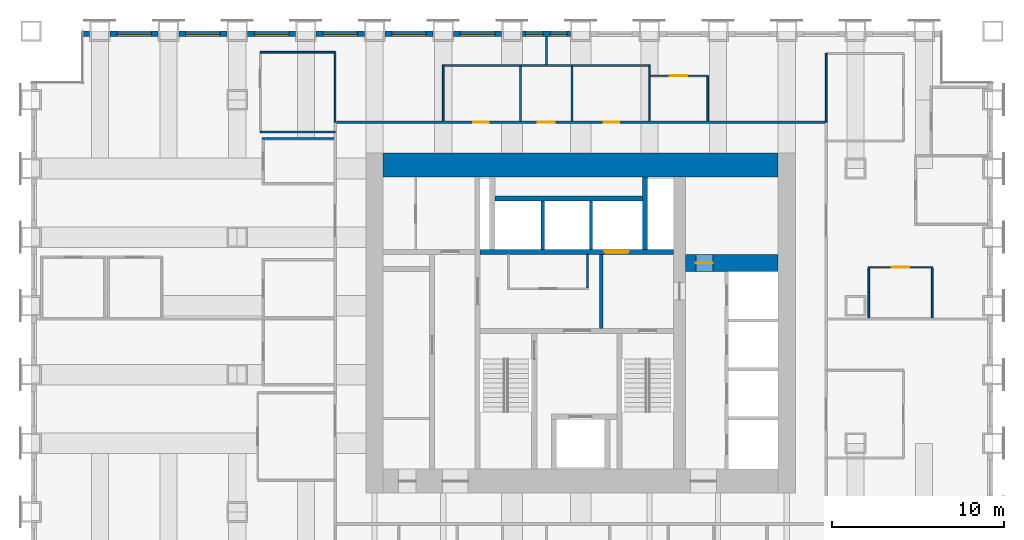
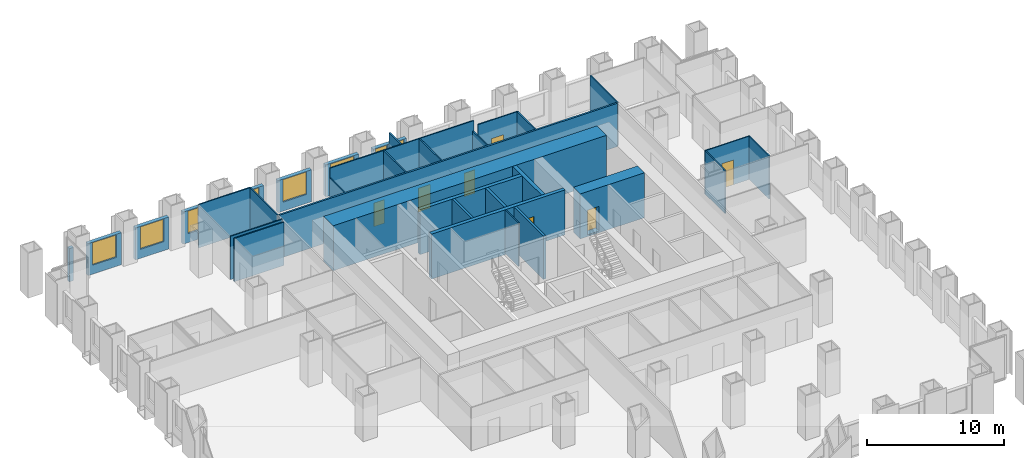
# One storey, part 11 of 14: 34 walls, 8 windows, 7 doors, 15 openings.
"""IFC4 building model written with IfcOpenShell, lengths in metres."""

from ifc_helpers import new_model, si_unit, direction, frame, frame_2d, origin, place, context, subcontext, project, spatial, rectangle, extrude, material, layer, layer_set, type_object, element, fill, save


model = new_model("IFC4")

# Units and contexts
model_context = context("Model", 3, precision=1e-05, world=origin(), true_north=direction((0.0, 1.0)))
body_context = subcontext(model_context, "Body", "Model", "MODEL_VIEW")
ifc_project = project(units=[si_unit("LENGTHUNIT", "METRE"), si_unit("AREAUNIT", "SQUARE_METRE"), si_unit("VOLUMEUNIT", "CUBIC_METRE"), si_unit("PLANEANGLEUNIT", "RADIAN"), si_unit("MASSUNIT", "GRAM", prefix="KILO")], contexts=[model_context])

# Site, building, storey
site_placement = place(None, origin())
site = spatial("IfcSite", under=ifc_project, at=site_placement, CompositionType="ELEMENT")
building_placement = place(site_placement, origin())
building = spatial("IfcBuilding", under=site, at=building_placement, Name="Rimbunsela Tower", CompositionType="ELEMENT")
storey_placement = place(building_placement, frame((0.0, 0.0, 15.0)))
storey = spatial("IfcBuildingStorey", under=building, at=storey_placement, Name="L03", CompositionType="ELEMENT", Elevation=15.0)

# Wall, opening, door
ifc_material_1 = material(Name="Concrete fc' 80 MPa", Category="concrete")
ifc_layer_1 = layer(ifc_material_1, 0.300048828125)
ifc_layer_set_1 = layer_set([ifc_layer_1], Name="Core internal wall 300")
wall_type_1 = type_object("IfcWallType", Name="Core internal wall 300", PredefinedType="SHEAR", material=ifc_layer_set_1)
wall_1_placement = place(storey_placement, frame((24.14990234375, 31.14990234375, -0.14990234375), z_axis=(0.0, 0.0, 1.0), x_axis=(1.0, 0.0, 0.0)))
wall_1 = element("IfcWall", 1, at=wall_1_placement, inside=storey, type_object=wall_type_1, Name="Lift shaft front north", PredefinedType="SHEAR", context=body_context, shape_type="SweptSolid", body=[
    extrude(rectangle(XDim=11.25, YDim=0.300048828125, at=frame_2d((5.625, 0.0))), origin(), (0.0, 0.0, 1.0), 4.0),
])
opening_1_placement = place(wall_1_placement, frame((7.25, 0.0, 0.14990234375)))
opening_1 = element("IfcOpeningElement", 2, at=opening_1_placement, cuts=wall_1, Name="Opening LD3", PredefinedType="OPENING", context=body_context, shape_type="SweptSolid", body=[
    extrude(rectangle(XDim=1.39990234375, YDim=2.39990234375, at=frame_2d((0.699951171875, 1.199951171875))), frame((0.0, 0.159912109375, 0.0), z_axis=(0.0, -1.0, 0.0), x_axis=(1.0, 0.0, 0.0)), (0.0, 0.0, 1.0), 0.320068359375),
])
ifc_material_2 = material(Name="Steel door, fire rated", Category="steel")
door_type_1 = type_object("IfcDoorType", Name="Lift landing door 1400", OperationType="DOUBLE_DOOR_SLIDING", PredefinedType="DOOR", material=ifc_material_2)
door_1_placement = place(opening_1_placement, origin())
door_1 = element("IfcDoor", 3, at=door_1_placement, inside=storey, type_object=door_type_1, Name="Lift landing door FL2", OperationType="DOUBLE_DOOR_SLIDING", OverallHeight=2.39990234375, OverallWidth=1.39990234375, PredefinedType="DOOR", context=body_context, shape_type="SweptSolid", body=[
    extrude(rectangle(XDim=1.39990234375, YDim=2.39990234375, at=frame_2d((0.699951171875, 1.199951171875))), frame((0.0, 0.02490234375, 0.0), z_axis=(0.0, -1.0, 0.0), x_axis=(1.0, 0.0, 0.0)), (0.0, 0.0, 1.0), 0.050048828125),
])
fill(opening_1, door_1)

# Walls
wall_2_placement = place(storey_placement, frame((33.75, 31.300048828125, -0.14990234375), z_axis=(0.0, 0.0, 1.0), x_axis=(0.0, 1.0, 0.0)))
element("IfcWall", 4, at=wall_2_placement, inside=storey, type_object=wall_type_1, Name="Riser wall", PredefinedType="SHEAR", context=body_context, shape_type="SweptSolid", body=[
    extrude(rectangle(XDim=4.199951171875, YDim=0.300048828125, at=frame_2d((2.10009765625, 0.0))), origin(), (0.0, 0.0, 1.0), 4.0),
])
wall_3_placement = place(storey_placement, frame((25.0, 34.25, -0.14990234375), z_axis=(0.0, 0.0, 1.0), x_axis=(1.0, 0.0, 0.0)))
element("IfcWall", 5, at=wall_3_placement, inside=storey, type_object=wall_type_1, Name="Lift shaft rear north", PredefinedType="SHEAR", context=body_context, shape_type="SweptSolid", body=[
    extrude(rectangle(XDim=8.60009765625, YDim=0.300048828125, at=frame_2d((4.300048828125, 0.0))), origin(), (0.0, 0.0, 1.0), 4.0),
])
ifc_material_3 = material(Name="Concrete blockwork", Category="masonry")
ifc_layer_2 = layer(ifc_material_3, 0.10009765625)
ifc_layer_set_2 = layer_set([ifc_layer_2], Name="Core room partition 100")
wall_type_2 = type_object("IfcWallType", Name="Core room partition 100", PredefinedType="PARTITIONING", material=ifc_layer_set_2)
wall_4_placement = place(storey_placement, frame((30.39990234375, 29.050048828125, 0.0), z_axis=(0.0, 0.0, 1.0), x_axis=(0.0, 1.0, 0.0)))
element("IfcWall", 6, at=wall_4_placement, inside=storey, type_object=wall_type_2, Name="Lobby room wall", PredefinedType="PARTITIONING", context=body_context, shape_type="SweptSolid", body=[
    extrude(rectangle(XDim=1.949951171875, YDim=0.10009765625, at=frame_2d((0.97509765625, 0.0))), origin(), (0.0, 0.0, 1.0), 3.85009765625),
])

# Wall, opening, door
ifc_material_4 = material(Name="Concrete fc' 80 MPa", Category="concrete")
ifc_layer_3 = layer(ifc_material_4, 1.0)
ifc_layer_set_3 = layer_set([ifc_layer_3], Name="Core wall 1000")
wall_type_3 = type_object("IfcWallType", Name="Core wall 1000", PredefinedType="SHEAR", material=ifc_layer_set_3)
wall_5_placement = place(storey_placement, frame((36.10009765625, 30.5, -0.14990234375), z_axis=(0.0, 0.0, 1.0), x_axis=(1.0, 0.0, 0.0)))
wall_5 = element("IfcWall", 7, at=wall_5_placement, inside=storey, type_object=wall_type_3, Name="Lift shaft rear east", PredefinedType="SHEAR", context=body_context, shape_type="SweptSolid", body=[
    extrude(rectangle(XDim=5.39990234375, YDim=1.0, at=frame_2d((2.699951171875, 0.0))), origin(), (0.0, 0.0, 1.0), 4.0),
])
opening_2_placement = place(wall_5_placement, frame((0.60009765625, 0.0, 0.14990234375)))
opening_2 = element("IfcOpeningElement", 8, at=opening_2_placement, cuts=wall_5, Name="Opening D19", PredefinedType="OPENING", context=body_context, shape_type="SweptSolid", body=[
    extrude(rectangle(XDim=1.0, YDim=2.199951171875, at=frame_2d((0.5, 1.10009765625))), frame((0.0, 0.510009765625, 0.0), z_axis=(0.0, -1.0, 0.0), x_axis=(1.0, 0.0, 0.0)), (0.0, 0.0, 1.0), 1.02001953125),
])
ifc_material_5 = material(Name="Steel door, fire rated", Category="steel")
door_type_2 = type_object("IfcDoorType", Name="Service door 1000 fire rated", OperationType="SINGLE_SWING_LEFT", PredefinedType="DOOR", material=ifc_material_5)
door_2_placement = place(opening_2_placement, origin())
door_2 = element("IfcDoor", 9, at=door_2_placement, inside=storey, type_object=door_type_2, Name="Communications room door", OperationType="SINGLE_SWING_LEFT", OverallHeight=2.199951171875, OverallWidth=1.0, PredefinedType="DOOR", context=body_context, shape_type="SweptSolid", body=[
    extrude(rectangle(XDim=1.0, YDim=2.199951171875, at=frame_2d((0.5, 1.10009765625))), frame((0.0, 0.02490234375, 0.0), z_axis=(0.0, -1.0, 0.0), x_axis=(1.0, 0.0, 0.0)), (0.0, 0.0, 1.0), 0.050048828125),
])
fill(opening_2, door_2)

# Walls
ifc_material_6 = material(Name="Concrete fc' 80 MPa", Category="concrete")
ifc_layer_4 = layer(ifc_material_6, 1.39990234375)
ifc_layer_set_4 = layer_set([ifc_layer_4], Name="Core wall 1400")
wall_type_4 = type_object("IfcWallType", Name="Core wall 1400", PredefinedType="SHEAR", material=ifc_layer_set_4)
wall_6_placement = place(storey_placement, frame((18.5, 36.199951171875, -0.14990234375), z_axis=(0.0, 0.0, 1.0), x_axis=(1.0, 0.0, 0.0)))
element("IfcWall", 10, at=wall_6_placement, inside=storey, type_object=wall_type_4, Name="Core wall north", PredefinedType="SHEAR", context=body_context, shape_type="SweptSolid", body=[
    extrude(rectangle(XDim=23.0, YDim=1.39990234375, at=frame_2d((11.5, 0.0))), origin(), (0.0, 0.0, 1.0), 4.0),
])
ifc_material_7 = material(Name="Concrete blockwork", Category="masonry")
ifc_layer_5 = layer(ifc_material_7, 0.199951171875)
ifc_layer_set_5 = layer_set([ifc_layer_5], Name="Lift shaft wall 200")
wall_type_5 = type_object("IfcWallType", Name="Lift shaft wall 200", PredefinedType="SOLIDWALL", material=ifc_layer_set_5)
for number, where, z_axis, x_axis, name in (
    (11, (27.800048828125, 31.300048828125, -0.14990234375), (0.0, 0.0, 1.0), (0.0, 1.0, 0.0), "Lift shaft separation"),
    (12, (30.60009765625, 31.300048828125, -0.14990234375), (0.0, 0.0, 1.0), (0.0, 1.0, 0.0), "Lift shaft separation"),
):
    element("IfcWall", number, at=place(storey_placement, frame(where, z_axis=z_axis, x_axis=x_axis)), inside=storey, type_object=wall_type_5, Name=name, PredefinedType="SOLIDWALL", context=body_context, shape_type="SweptSolid", body=[
        extrude(rectangle(XDim=2.800048828125, YDim=0.199951171875, at=frame_2d((1.39990234375, 0.0))), origin(), (0.0, 0.0, 1.0), 4.0),
    ])
wall_7_placement = place(storey_placement, frame((31.199951171875, 26.699951171875, 0.0), z_axis=(0.0, 0.0, 1.0), x_axis=(0.0, 1.0, 0.0)))
element("IfcWall", 13, at=wall_7_placement, inside=storey, type_object=wall_type_5, Name="Firefighting lobby 2 wall", PredefinedType="SOLIDWALL", context=body_context, shape_type="SweptSolid", body=[
    extrude(rectangle(XDim=4.300048828125, YDim=0.199951171875, at=frame_2d((2.14990234375, 0.0))), origin(), (0.0, 0.0, 1.0), 3.85009765625),
])

# Wall, opening, door
ifc_material_8 = material(Name="Gypsum board on steel studs", Category="steel")
ifc_layer_6 = layer(ifc_material_8, 0.10009765625)
ifc_layer_set_6 = layer_set([ifc_layer_6], Name="Office partition 100")
wall_type_6 = type_object("IfcWallType", Name="Office partition 100", PredefinedType="PARTITIONING", material=ifc_layer_set_6)
wall_8_placement = place(storey_placement, frame((46.72509765625, 30.25, 0.0), z_axis=(0.0, 0.0, 1.0), x_axis=(1.0, 0.0, 0.0)))
wall_8 = element("IfcWall", 14, at=wall_8_placement, inside=storey, type_object=wall_type_6, Name="Office partition", PredefinedType="PARTITIONING", context=body_context, shape_type="SweptSolid", body=[
    extrude(rectangle(XDim=3.7998046875, YDim=0.10009765625, at=frame_2d((1.89990234375, 0.0))), origin(), (0.0, 0.0, 1.0), 3.85009765625),
])
opening_3_placement = place(wall_8_placement, frame((1.39990234375, 0.0, 0.0)))
opening_3 = element("IfcOpeningElement", 15, at=opening_3_placement, cuts=wall_8, Name="Opening D17", PredefinedType="OPENING", context=body_context, shape_type="SweptSolid", body=[
    extrude(rectangle(XDim=1.0, YDim=2.199951171875, at=frame_2d((0.5, 1.10009765625))), frame((0.0, 0.06005859375, 0.0), z_axis=(0.0, -1.0, 0.0), x_axis=(1.0, 0.0, 0.0)), (0.0, 0.0, 1.0), 0.1201171875),
])
ifc_material_9 = material(Name="Glazed aluminium door", Category="aluminium")
door_type_3 = type_object("IfcDoorType", Name="Meeting room door 1000 glazed", OperationType="SINGLE_SWING_RIGHT", PredefinedType="DOOR", material=ifc_material_9)
door_3_placement = place(opening_3_placement, origin())
door_3 = element("IfcDoor", 16, at=door_3_placement, inside=storey, type_object=door_type_3, Name="Meeting room door", OperationType="SINGLE_SWING_RIGHT", OverallHeight=2.199951171875, OverallWidth=1.0, PredefinedType="DOOR", context=body_context, shape_type="SweptSolid", body=[
    extrude(rectangle(XDim=1.0, YDim=2.199951171875, at=frame_2d((0.5, 1.10009765625))), frame((0.0, 0.02490234375, 0.0), z_axis=(0.0, -1.0, 0.0), x_axis=(1.0, 0.0, 0.0)), (0.0, 0.0, 1.0), 0.050048828125),
])
fill(opening_3, door_3)

# Wall
wall_9_placement = place(storey_placement, frame((11.449951171875, 37.75, 0.0), z_axis=(0.0, 0.0, 1.0), x_axis=(1.0, 0.0, 0.0)))
element("IfcWall", 17, at=wall_9_placement, inside=storey, type_object=wall_type_6, Name="Office partition", PredefinedType="PARTITIONING", context=body_context, shape_type="SweptSolid", body=[
    extrude(rectangle(XDim=4.175048828125, YDim=0.10009765625, at=frame_2d((2.08740234375, 0.0))), origin(), (0.0, 0.0, 1.0), 3.85009765625),
])

# Wall, opening, door
wall_10_placement = place(storey_placement, frame((34.050048828125, 41.39990234375, 0.0), z_axis=(0.0, 0.0, 1.0), x_axis=(1.0, 0.0, 0.0)))
wall_10 = element("IfcWall", 18, at=wall_10_placement, inside=storey, type_object=wall_type_6, Name="Office partition", PredefinedType="PARTITIONING", context=body_context, shape_type="SweptSolid", body=[
    extrude(rectangle(XDim=3.39990234375, YDim=0.10009765625, at=frame_2d((1.699951171875, 0.0))), origin(), (0.0, 0.0, 1.0), 3.85009765625),
])
opening_4_placement = place(wall_10_placement, frame((1.14990234375, 0.0, 0.0)))
opening_4 = element("IfcOpeningElement", 19, at=opening_4_placement, cuts=wall_10, Name="Opening D16", PredefinedType="OPENING", context=body_context, shape_type="SweptSolid", body=[
    extrude(rectangle(XDim=1.0, YDim=2.199951171875, at=frame_2d((0.5, 1.10009765625))), frame((0.0, 0.06005859375, 0.0), z_axis=(0.0, -1.0, 0.0), x_axis=(1.0, 0.0, 0.0)), (0.0, 0.0, 1.0), 0.1201171875),
])
ifc_material_10 = material(Name="Timber door", Category="wood")
door_type_4 = type_object("IfcDoorType", Name="Office door 1000", OperationType="SINGLE_SWING_LEFT", PredefinedType="DOOR", material=ifc_material_10)
door_4_placement = place(opening_4_placement, origin())
door_4 = element("IfcDoor", 20, at=door_4_placement, inside=storey, type_object=door_type_4, Name="Office door", OperationType="SINGLE_SWING_LEFT", OverallHeight=2.199951171875, OverallWidth=1.0, PredefinedType="DOOR", context=body_context, shape_type="SweptSolid", body=[
    extrude(rectangle(XDim=1.0, YDim=2.199951171875, at=frame_2d((0.5, 1.10009765625))), frame((0.0, 0.02490234375, 0.0), z_axis=(0.0, -1.0, 0.0), x_axis=(1.0, 0.0, 0.0)), (0.0, 0.0, 1.0), 0.050048828125),
])
fill(opening_4, door_4)

# Walls
wall_11_placement = place(storey_placement, frame((37.39990234375, 38.77490234375, 0.0), z_axis=(0.0, 0.0, 1.0), x_axis=(0.0, 1.0, 0.0)))
element("IfcWall", 21, at=wall_11_placement, inside=storey, type_object=wall_type_6, Name="Office partition", PredefinedType="PARTITIONING", context=body_context, shape_type="SweptSolid", body=[
    extrude(rectangle(XDim=2.5751953125, YDim=0.10009765625, at=frame_2d((1.28759765625, 0.0))), origin(), (0.0, 0.0, 1.0), 3.85009765625),
])
for number, where, z_axis, x_axis, name in (
    (22, (46.77490234375, 27.31005859375, 0.0), (0.0, 0.0, 1.0), (0.0, 1.0, 0.0), "Office partition"),
    (23, (50.47509765625, 27.31005859375, 0.0), (0.0, 0.0, 1.0), (0.0, 1.0, 0.0), "Office partition"),
):
    element("IfcWall", number, at=place(storey_placement, frame(where, z_axis=z_axis, x_axis=x_axis)), inside=storey, type_object=wall_type_6, Name=name, PredefinedType="PARTITIONING", context=body_context, shape_type="SweptSolid", body=[
        extrude(rectangle(XDim=2.889892578125, YDim=0.10009765625, at=frame_2d((1.44482421875, 0.0))), origin(), (0.0, 0.0, 1.0), 3.85009765625),
    ])
wall_12_placement = place(storey_placement, frame((15.699951171875, 38.699951171875, 0.0), z_axis=(0.0, 0.0, 1.0), x_axis=(0.0, 1.0, 0.0)))
element("IfcWall", 24, at=wall_12_placement, inside=storey, type_object=wall_type_6, Name="Office partition", PredefinedType="PARTITIONING", context=body_context, shape_type="SweptSolid", body=[
    extrude(rectangle(XDim=4.074951171875, YDim=0.10009765625, at=frame_2d((2.03759765625, 0.0))), origin(), (0.0, 0.0, 1.0), 3.85009765625),
])
for number, where, z_axis, x_axis, name in (
    (25, (15.699951171875, 42.77490234375, 0.0), (0.0, 0.0, 1.0), (-1.0, 0.0, 0.0), "Office partition"),
    (26, (11.35009765625, 38.125, 0.0), (0.0, 0.0, 1.0), (1.0, 0.0, 0.0), "Office partition"),
):
    element("IfcWall", number, at=place(storey_placement, frame(where, z_axis=z_axis, x_axis=x_axis)), inside=storey, type_object=wall_type_6, Name=name, PredefinedType="PARTITIONING", context=body_context, shape_type="SweptSolid", body=[
        extrude(rectangle(XDim=4.349853515625, YDim=0.10009765625, at=frame_2d((2.1748046875, 0.0))), origin(), (0.0, 0.0, 1.0), 3.85009765625),
    ])
wall_13_placement = place(storey_placement, frame((44.300048828125, 42.699951171875, 0.0), z_axis=(0.0, 0.0, 1.0), x_axis=(0.0, -1.0, 0.0)))
element("IfcWall", 27, at=wall_13_placement, inside=storey, type_object=wall_type_6, Name="Office partition", PredefinedType="PARTITIONING", context=body_context, shape_type="SweptSolid", body=[
    extrude(rectangle(XDim=4.0, YDim=0.10009765625, at=frame_2d((2.0, 0.0))), origin(), (0.0, 0.0, 1.0), 3.85009765625),
])
ifc_material_11 = material(Name="Precast concrete fc' 35 MPa", Category="concrete")
ifc_layer_7 = layer(ifc_material_11, 0.300048828125)
ifc_layer_set_7 = layer_set([ifc_layer_7], Name="Precast concrete fc' 35 MPa")
wall_type_7 = type_object("IfcWallType", Name="Precast facade panel 300", PredefinedType="ELEMENTEDWALL", material=ifc_layer_set_7)
wall_14_placement = place(storey_placement, frame((1.39990234375, 43.85009765625, 0.0), z_axis=(0.0, 0.0, 1.0), x_axis=(-1.0, 0.0, 0.0)))
element("IfcWall", 28, at=wall_14_placement, inside=storey, type_object=wall_type_7, Name="Facade panel N L03", PredefinedType="ELEMENTEDWALL", context=body_context, shape_type="SweptSolid", body=[
    extrude(rectangle(XDim=0.369873046875, YDim=0.300048828125, at=frame_2d((0.18505859375, 0.0))), origin(), (0.0, 0.0, 1.0), 2.949951171875),
])

# Wall, opening, window
wall_15_placement = place(storey_placement, frame((5.39990234375, 43.85009765625, 0.0), z_axis=(0.0, 0.0, 1.0), x_axis=(-1.0, 0.0, 0.0)))
wall_15 = element("IfcWall", 29, at=wall_15_placement, inside=storey, type_object=wall_type_7, Name="Facade panel N L03", PredefinedType="ELEMENTEDWALL", context=body_context, shape_type="SweptSolid", body=[
    extrude(rectangle(XDim=2.7998046875, YDim=0.300048828125, at=frame_2d((1.39990234375, 0.0))), origin(), (0.0, 0.0, 1.0), 2.85009765625),
])
opening_5_placement = place(wall_15_placement, frame((0.39990234375, 0.0, 0.800048828125)))
opening_5 = element("IfcOpeningElement", 30, at=opening_5_placement, cuts=wall_15, Name="Opening W1", PredefinedType="OPENING", context=body_context, shape_type="SweptSolid", body=[
    extrude(rectangle(XDim=2.0, YDim=2.0, at=frame_2d((1.0, 1.0))), frame((0.0, 0.159912109375, 0.0), z_axis=(0.0, -1.0, 0.0), x_axis=(1.0, 0.0, 0.0)), (0.0, 0.0, 1.0), 0.320068359375),
])
ifc_material_12 = material(Name="Clear glass in aluminium frame", Category="aluminium")
window_type_1 = type_object("IfcWindowType", Name="Window W1 2000x2000", PartitioningType="DOUBLE_PANEL_VERTICAL", PredefinedType="WINDOW", material=ifc_material_12)
window_1_placement = place(opening_5_placement, origin())
window_1 = element("IfcWindow", 31, at=window_1_placement, inside=storey, type_object=window_type_1, Name="Window L03", OverallHeight=2.0, OverallWidth=2.0, PartitioningType="SINGLE_PANEL", PredefinedType="WINDOW", context=body_context, shape_type="SweptSolid", body=[
    extrude(rectangle(XDim=2.0, YDim=2.0, at=frame_2d((1.0, 1.0))), frame((0.0, 0.030029296875, 0.0), z_axis=(0.0, -1.0, 0.0), x_axis=(1.0, 0.0, 0.0)), (0.0, 0.0, 1.0), 0.06005859375),
])
fill(opening_5, window_1)

wall_16_placement = place(storey_placement, frame((9.39990234375, 43.85009765625, 0.0), z_axis=(0.0, 0.0, 1.0), x_axis=(-1.0, 0.0, 0.0)))
wall_16 = element("IfcWall", 32, at=wall_16_placement, inside=storey, type_object=wall_type_7, Name="Facade panel N L03", PredefinedType="ELEMENTEDWALL", context=body_context, shape_type="SweptSolid", body=[
    extrude(rectangle(XDim=2.7998046875, YDim=0.300048828125, at=frame_2d((1.39990234375, 0.0))), origin(), (0.0, 0.0, 1.0), 2.85009765625),
])
opening_6_placement = place(wall_16_placement, frame((0.39990234375, 0.0, 0.800048828125)))
opening_6 = element("IfcOpeningElement", 33, at=opening_6_placement, cuts=wall_16, Name="Opening W1", PredefinedType="OPENING", context=body_context, shape_type="SweptSolid", body=[
    extrude(rectangle(XDim=2.0, YDim=2.0, at=frame_2d((1.0, 1.0))), frame((0.0, 0.159912109375, 0.0), z_axis=(0.0, -1.0, 0.0), x_axis=(1.0, 0.0, 0.0)), (0.0, 0.0, 1.0), 0.320068359375),
])
window_2_placement = place(opening_6_placement, origin())
window_2 = element("IfcWindow", 34, at=window_2_placement, inside=storey, type_object=window_type_1, Name="Window L03", OverallHeight=2.0, OverallWidth=2.0, PartitioningType="SINGLE_PANEL", PredefinedType="WINDOW", context=body_context, shape_type="SweptSolid", body=[
    extrude(rectangle(XDim=2.0, YDim=2.0, at=frame_2d((1.0, 1.0))), frame((0.0, 0.030029296875, 0.0), z_axis=(0.0, -1.0, 0.0), x_axis=(1.0, 0.0, 0.0)), (0.0, 0.0, 1.0), 0.06005859375),
])
fill(opening_6, window_2)

wall_17_placement = place(storey_placement, frame((13.39990234375, 43.85009765625, 0.0), z_axis=(0.0, 0.0, 1.0), x_axis=(-1.0, 0.0, 0.0)))
wall_17 = element("IfcWall", 35, at=wall_17_placement, inside=storey, type_object=wall_type_7, Name="Facade panel N L03", PredefinedType="ELEMENTEDWALL", context=body_context, shape_type="SweptSolid", body=[
    extrude(rectangle(XDim=2.7998046875, YDim=0.300048828125, at=frame_2d((1.39990234375, 0.0))), origin(), (0.0, 0.0, 1.0), 2.85009765625),
])
opening_7_placement = place(wall_17_placement, frame((0.39990234375, 0.0, 0.800048828125)))
opening_7 = element("IfcOpeningElement", 36, at=opening_7_placement, cuts=wall_17, Name="Opening W1", PredefinedType="OPENING", context=body_context, shape_type="SweptSolid", body=[
    extrude(rectangle(XDim=2.0, YDim=2.0, at=frame_2d((1.0, 1.0))), frame((0.0, 0.159912109375, 0.0), z_axis=(0.0, -1.0, 0.0), x_axis=(1.0, 0.0, 0.0)), (0.0, 0.0, 1.0), 0.320068359375),
])
window_3_placement = place(opening_7_placement, origin())
window_3 = element("IfcWindow", 37, at=window_3_placement, inside=storey, type_object=window_type_1, Name="Window L03", OverallHeight=2.0, OverallWidth=2.0, PartitioningType="SINGLE_PANEL", PredefinedType="WINDOW", context=body_context, shape_type="SweptSolid", body=[
    extrude(rectangle(XDim=2.0, YDim=2.0, at=frame_2d((1.0, 1.0))), frame((0.0, 0.030029296875, 0.0), z_axis=(0.0, -1.0, 0.0), x_axis=(1.0, 0.0, 0.0)), (0.0, 0.0, 1.0), 0.06005859375),
])
fill(opening_7, window_3)

wall_18_placement = place(storey_placement, frame((17.39990234375, 43.85009765625, 0.0), z_axis=(0.0, 0.0, 1.0), x_axis=(-1.0, 0.0, 0.0)))
wall_18 = element("IfcWall", 38, at=wall_18_placement, inside=storey, type_object=wall_type_7, Name="Facade panel N L03", PredefinedType="ELEMENTEDWALL", context=body_context, shape_type="SweptSolid", body=[
    extrude(rectangle(XDim=2.7998046875, YDim=0.300048828125, at=frame_2d((1.39990234375, 0.0))), origin(), (0.0, 0.0, 1.0), 2.85009765625),
])
opening_8_placement = place(wall_18_placement, frame((0.39990234375, 0.0, 0.800048828125)))
opening_8 = element("IfcOpeningElement", 39, at=opening_8_placement, cuts=wall_18, Name="Opening W1", PredefinedType="OPENING", context=body_context, shape_type="SweptSolid", body=[
    extrude(rectangle(XDim=2.0, YDim=2.0, at=frame_2d((1.0, 1.0))), frame((0.0, 0.159912109375, 0.0), z_axis=(0.0, -1.0, 0.0), x_axis=(1.0, 0.0, 0.0)), (0.0, 0.0, 1.0), 0.320068359375),
])
window_4_placement = place(opening_8_placement, origin())
window_4 = element("IfcWindow", 40, at=window_4_placement, inside=storey, type_object=window_type_1, Name="Window L03", OverallHeight=2.0, OverallWidth=2.0, PartitioningType="SINGLE_PANEL", PredefinedType="WINDOW", context=body_context, shape_type="SweptSolid", body=[
    extrude(rectangle(XDim=2.0, YDim=2.0, at=frame_2d((1.0, 1.0))), frame((0.0, 0.030029296875, 0.0), z_axis=(0.0, -1.0, 0.0), x_axis=(1.0, 0.0, 0.0)), (0.0, 0.0, 1.0), 0.06005859375),
])
fill(opening_8, window_4)

wall_19_placement = place(storey_placement, frame((21.39990234375, 43.85009765625, 0.0), z_axis=(0.0, 0.0, 1.0), x_axis=(-1.0, 0.0, 0.0)))
wall_19 = element("IfcWall", 41, at=wall_19_placement, inside=storey, type_object=wall_type_7, Name="Facade panel N L03", PredefinedType="ELEMENTEDWALL", context=body_context, shape_type="SweptSolid", body=[
    extrude(rectangle(XDim=2.7998046875, YDim=0.300048828125, at=frame_2d((1.39990234375, 0.0))), origin(), (0.0, 0.0, 1.0), 2.85009765625),
])
opening_9_placement = place(wall_19_placement, frame((0.39990234375, 0.0, 0.800048828125)))
opening_9 = element("IfcOpeningElement", 42, at=opening_9_placement, cuts=wall_19, Name="Opening W1", PredefinedType="OPENING", context=body_context, shape_type="SweptSolid", body=[
    extrude(rectangle(XDim=2.0, YDim=2.0, at=frame_2d((1.0, 1.0))), frame((0.0, 0.159912109375, 0.0), z_axis=(0.0, -1.0, 0.0), x_axis=(1.0, 0.0, 0.0)), (0.0, 0.0, 1.0), 0.320068359375),
])
window_5_placement = place(opening_9_placement, origin())
window_5 = element("IfcWindow", 43, at=window_5_placement, inside=storey, type_object=window_type_1, Name="Window L03", OverallHeight=2.0, OverallWidth=2.0, PartitioningType="SINGLE_PANEL", PredefinedType="WINDOW", context=body_context, shape_type="SweptSolid", body=[
    extrude(rectangle(XDim=2.0, YDim=2.0, at=frame_2d((1.0, 1.0))), frame((0.0, 0.030029296875, 0.0), z_axis=(0.0, -1.0, 0.0), x_axis=(1.0, 0.0, 0.0)), (0.0, 0.0, 1.0), 0.06005859375),
])
fill(opening_9, window_5)

wall_20_placement = place(storey_placement, frame((25.39990234375, 43.85009765625, 0.0), z_axis=(0.0, 0.0, 1.0), x_axis=(-1.0, 0.0, 0.0)))
wall_20 = element("IfcWall", 44, at=wall_20_placement, inside=storey, type_object=wall_type_7, Name="Facade panel N L03", PredefinedType="ELEMENTEDWALL", context=body_context, shape_type="SweptSolid", body=[
    extrude(rectangle(XDim=2.7998046875, YDim=0.300048828125, at=frame_2d((1.39990234375, 0.0))), origin(), (0.0, 0.0, 1.0), 2.85009765625),
])
opening_10_placement = place(wall_20_placement, frame((0.39990234375, 0.0, 0.800048828125)))
opening_10 = element("IfcOpeningElement", 45, at=opening_10_placement, cuts=wall_20, Name="Opening W1", PredefinedType="OPENING", context=body_context, shape_type="SweptSolid", body=[
    extrude(rectangle(XDim=2.0, YDim=2.0, at=frame_2d((1.0, 1.0))), frame((0.0, 0.159912109375, 0.0), z_axis=(0.0, -1.0, 0.0), x_axis=(1.0, 0.0, 0.0)), (0.0, 0.0, 1.0), 0.320068359375),
])
window_6_placement = place(opening_10_placement, origin())
window_6 = element("IfcWindow", 46, at=window_6_placement, inside=storey, type_object=window_type_1, Name="Window L03", OverallHeight=2.0, OverallWidth=2.0, PartitioningType="SINGLE_PANEL", PredefinedType="WINDOW", context=body_context, shape_type="SweptSolid", body=[
    extrude(rectangle(XDim=2.0, YDim=2.0, at=frame_2d((1.0, 1.0))), frame((0.0, 0.030029296875, 0.0), z_axis=(0.0, -1.0, 0.0), x_axis=(1.0, 0.0, 0.0)), (0.0, 0.0, 1.0), 0.06005859375),
])
fill(opening_10, window_6)

# Wall, openings, windows
wall_21_placement = place(storey_placement, frame((29.39990234375, 43.85009765625, 0.0), z_axis=(0.0, 0.0, 1.0), x_axis=(-1.0, 0.0, 0.0)))
wall_21 = element("IfcWall", 47, at=wall_21_placement, inside=storey, type_object=wall_type_7, Name="Facade panel N L03", PredefinedType="ELEMENTEDWALL", context=body_context, shape_type="SweptSolid", body=[
    extrude(rectangle(XDim=2.7998046875, YDim=0.300048828125, at=frame_2d((1.39990234375, 0.0))), origin(), (0.0, 0.0, 1.0), 2.85009765625),
])
opening_11_placement = place(wall_21_placement, frame((1.60009765625, 0.0, 0.800048828125)))
opening_11 = element("IfcOpeningElement", 48, at=opening_11_placement, cuts=wall_21, Name="Opening W5", PredefinedType="OPENING", context=body_context, shape_type="SweptSolid", body=[
    extrude(rectangle(XDim=1.0, YDim=2.0, at=frame_2d((0.5, 1.0))), frame((0.0, 0.159912109375, 0.0), z_axis=(0.0, -1.0, 0.0), x_axis=(1.0, 0.0, 0.0)), (0.0, 0.0, 1.0), 0.320068359375),
])
opening_12_placement = place(wall_21_placement, frame((0.199951171875, 0.0, 0.800048828125)))
opening_12 = element("IfcOpeningElement", 49, at=opening_12_placement, cuts=wall_21, Name="Opening W5", PredefinedType="OPENING", context=body_context, shape_type="SweptSolid", body=[
    extrude(rectangle(XDim=1.0, YDim=2.0, at=frame_2d((0.5, 1.0))), frame((0.0, 0.159912109375, 0.0), z_axis=(0.0, -1.0, 0.0), x_axis=(1.0, 0.0, 0.0)), (0.0, 0.0, 1.0), 0.320068359375),
])
ifc_material_13 = material(Name="Clear glass in aluminium frame", Category="aluminium")
window_type_2 = type_object("IfcWindowType", Name="Window W5 1000x2000", PartitioningType="SINGLE_PANEL", PredefinedType="WINDOW", material=ifc_material_13)
window_7_placement = place(opening_11_placement, origin())
window_7 = element("IfcWindow", 50, at=window_7_placement, inside=storey, type_object=window_type_2, Name="Window L03", OverallHeight=2.0, OverallWidth=1.0, PartitioningType="SINGLE_PANEL", PredefinedType="WINDOW", context=body_context, shape_type="SweptSolid", body=[
    extrude(rectangle(XDim=1.0, YDim=2.0, at=frame_2d((0.5, 1.0))), frame((0.0, 0.030029296875, 0.0), z_axis=(0.0, -1.0, 0.0), x_axis=(1.0, 0.0, 0.0)), (0.0, 0.0, 1.0), 0.06005859375),
])
fill(opening_11, window_7)
window_8_placement = place(opening_12_placement, origin())
window_8 = element("IfcWindow", 51, at=window_8_placement, inside=storey, type_object=window_type_2, Name="Window L03", OverallHeight=2.0, OverallWidth=1.0, PartitioningType="SINGLE_PANEL", PredefinedType="WINDOW", context=body_context, shape_type="SweptSolid", body=[
    extrude(rectangle(XDim=1.0, YDim=2.0, at=frame_2d((0.5, 1.0))), frame((0.0, 0.030029296875, 0.0), z_axis=(0.0, -1.0, 0.0), x_axis=(1.0, 0.0, 0.0)), (0.0, 0.0, 1.0), 0.06005859375),
])
fill(opening_12, window_8)

# Wall, openings, doors
ifc_material_14 = material(Name="Fire-rated gypsum board on steel studs, EI 60", Category="steel")
ifc_layer_8 = layer(ifc_material_14, 0.14990234375)
ifc_layer_set_8 = layer_set([ifc_layer_8], Name="Rated corridor wall 150")
wall_type_8 = type_object("IfcWallType", Name="Rated corridor wall 150", PredefinedType="PARTITIONING", material=ifc_layer_set_8)
wall_22_placement = place(storey_placement, frame((15.77490234375, 38.699951171875, 0.0), z_axis=(0.0, 0.0, 1.0), x_axis=(1.0, 0.0, 0.0)))
wall_22 = element("IfcWall", 52, at=wall_22_placement, inside=storey, type_object=wall_type_8, Name="Corridor wall north", PredefinedType="PARTITIONING", context=body_context, shape_type="SweptSolid", body=[
    extrude(rectangle(XDim=28.4501953125, YDim=0.14990234375, at=frame_2d((14.22509765625, 0.0))), origin(), (0.0, 0.0, 1.0), 3.85009765625),
])
opening_13_placement = place(wall_22_placement, frame((7.97509765625, 0.0, 0.0)))
opening_13 = element("IfcOpeningElement", 53, at=opening_13_placement, cuts=wall_22, Name="Opening D04", PredefinedType="OPENING", context=body_context, shape_type="SweptSolid", body=[
    extrude(rectangle(XDim=0.89990234375, YDim=2.10009765625, at=frame_2d((0.449951171875, 1.050048828125))), frame((0.0, 0.0849609375, 0.0), z_axis=(0.0, -1.0, 0.0), x_axis=(1.0, 0.0, 0.0)), (0.0, 0.0, 1.0), 0.169921875),
])
opening_14_placement = place(wall_22_placement, frame((11.72509765625, 0.0, 0.0)))
opening_14 = element("IfcOpeningElement", 54, at=opening_14_placement, cuts=wall_22, Name="Opening D05", PredefinedType="OPENING", context=body_context, shape_type="SweptSolid", body=[
    extrude(rectangle(XDim=1.0, YDim=2.10009765625, at=frame_2d((0.5, 1.050048828125))), frame((0.0, 0.0849609375, 0.0), z_axis=(0.0, -1.0, 0.0), x_axis=(1.0, 0.0, 0.0)), (0.0, 0.0, 1.0), 0.169921875),
])
opening_15_placement = place(wall_22_placement, frame((15.574951171875, 0.0, 0.0)))
opening_15 = element("IfcOpeningElement", 55, at=opening_15_placement, cuts=wall_22, Name="Opening D04", PredefinedType="OPENING", context=body_context, shape_type="SweptSolid", body=[
    extrude(rectangle(XDim=0.89990234375, YDim=2.10009765625, at=frame_2d((0.449951171875, 1.050048828125))), frame((0.0, 0.0849609375, 0.0), z_axis=(0.0, -1.0, 0.0), x_axis=(1.0, 0.0, 0.0)), (0.0, 0.0, 1.0), 0.169921875),
])
ifc_material_15 = material(Name="Timber door", Category="wood")
door_type_5 = type_object("IfcDoorType", Name="Accessible WC door 1000", OperationType="SLIDING_TO_LEFT", PredefinedType="DOOR", material=ifc_material_15)
door_5_placement = place(opening_14_placement, origin())
door_5 = element("IfcDoor", 56, at=door_5_placement, inside=storey, type_object=door_type_5, Name="Accessible WC door", OperationType="SLIDING_TO_LEFT", OverallHeight=2.10009765625, OverallWidth=1.0, PredefinedType="DOOR", context=body_context, shape_type="SweptSolid", body=[
    extrude(rectangle(XDim=1.0, YDim=2.10009765625, at=frame_2d((0.5, 1.050048828125))), frame((0.0, 0.02490234375, 0.0), z_axis=(0.0, -1.0, 0.0), x_axis=(1.0, 0.0, 0.0)), (0.0, 0.0, 1.0), 0.050048828125),
])
fill(opening_14, door_5)
ifc_material_16 = material(Name="Timber door", Category="wood")
door_type_6 = type_object("IfcDoorType", Name="Toilet door 900", OperationType="SINGLE_SWING_LEFT", PredefinedType="DOOR", material=ifc_material_16)
door_6_placement = place(opening_13_placement, origin())
door_6 = element("IfcDoor", 57, at=door_6_placement, inside=storey, type_object=door_type_6, Name="Female WC door", OperationType="SINGLE_SWING_LEFT", OverallHeight=2.10009765625, OverallWidth=0.89990234375, PredefinedType="DOOR", context=body_context, shape_type="SweptSolid", body=[
    extrude(rectangle(XDim=0.89990234375, YDim=2.10009765625, at=frame_2d((0.449951171875, 1.050048828125))), frame((0.0, 0.02490234375, 0.0), z_axis=(0.0, -1.0, 0.0), x_axis=(1.0, 0.0, 0.0)), (0.0, 0.0, 1.0), 0.050048828125),
])
fill(opening_13, door_6)
door_7_placement = place(opening_15_placement, origin())
door_7 = element("IfcDoor", 58, at=door_7_placement, inside=storey, type_object=door_type_6, Name="Male WC door", OperationType="SINGLE_SWING_LEFT", OverallHeight=2.10009765625, OverallWidth=0.89990234375, PredefinedType="DOOR", context=body_context, shape_type="SweptSolid", body=[
    extrude(rectangle(XDim=0.89990234375, YDim=2.10009765625, at=frame_2d((0.449951171875, 1.050048828125))), frame((0.0, 0.02490234375, 0.0), z_axis=(0.0, -1.0, 0.0), x_axis=(1.0, 0.0, 0.0)), (0.0, 0.0, 1.0), 0.050048828125),
])
fill(opening_15, door_7)

# Walls
ifc_material_17 = material(Name="Gypsum board on steel studs", Category="steel")
ifc_layer_9 = layer(ifc_material_17, 0.1201171875)
ifc_layer_set_9 = layer_set([ifc_layer_9], Name="Tenancy partition 120")
wall_type_9 = type_object("IfcWallType", Name="Tenancy partition 120", PredefinedType="PARTITIONING", material=ifc_layer_set_9)
wall_23_placement = place(storey_placement, frame((28.0, 42.050048828125, 0.0), z_axis=(0.0, 0.0, 1.0), x_axis=(0.0, 1.0, 0.0)))
element("IfcWall", 59, at=wall_23_placement, inside=storey, type_object=wall_type_9, Name="Tenancy partition north", PredefinedType="PARTITIONING", context=body_context, shape_type="SweptSolid", body=[
    extrude(rectangle(XDim=1.64990234375, YDim=0.1201171875, at=frame_2d((0.824951171875, 0.0))), origin(), (0.0, 0.0, 1.0), 3.85009765625),
])
ifc_material_18 = material(Name="Concrete blockwork", Category="masonry")
ifc_layer_10 = layer(ifc_material_18, 0.10009765625)
ifc_layer_set_10 = layer_set([ifc_layer_10], Name="Toilet partition 100")
wall_type_10 = type_object("IfcWallType", Name="Toilet partition 100", PredefinedType="PARTITIONING", material=ifc_layer_set_10)
for number, where, z_axis, x_axis, name in (
    (60, (22.0, 38.77490234375, 0.0), (0.0, 0.0, 1.0), (0.0, 1.0, 0.0), "Toilet block wall west"),
    (61, (34.0, 38.77490234375, 0.0), (0.0, 0.0, 1.0), (0.0, 1.0, 0.0), "Toilet block wall east"),
):
    element("IfcWall", number, at=place(storey_placement, frame(where, z_axis=z_axis, x_axis=x_axis)), inside=storey, type_object=wall_type_10, Name=name, PredefinedType="PARTITIONING", context=body_context, shape_type="SweptSolid", body=[
        extrude(rectangle(XDim=3.275146484375, YDim=0.10009765625, at=frame_2d((1.6376953125, 0.0))), origin(), (0.0, 0.0, 1.0), 2.949951171875),
    ])
wall_24_placement = place(storey_placement, frame((21.949951171875, 42.0, 0.0), z_axis=(0.0, 0.0, 1.0), x_axis=(1.0, 0.0, 0.0)))
element("IfcWall", 62, at=wall_24_placement, inside=storey, type_object=wall_type_10, Name="Toilet block wall north", PredefinedType="PARTITIONING", context=body_context, shape_type="SweptSolid", body=[
    extrude(rectangle(XDim=12.10009765625, YDim=0.10009765625, at=frame_2d((6.050048828125, 0.0))), origin(), (0.0, 0.0, 1.0), 3.85009765625),
])
for number, where, z_axis, x_axis, name in (
    (63, (26.5, 38.77490234375, 0.0), (0.0, 0.0, 1.0), (0.0, 1.0, 0.0), "Toilet partition"),
    (64, (29.5, 38.77490234375, 0.0), (0.0, 0.0, 1.0), (0.0, 1.0, 0.0), "Toilet partition"),
):
    element("IfcWall", number, at=place(storey_placement, frame(where, z_axis=z_axis, x_axis=x_axis)), inside=storey, type_object=wall_type_10, Name=name, PredefinedType="PARTITIONING", context=body_context, shape_type="SweptSolid", body=[
        extrude(rectangle(XDim=3.175048828125, YDim=0.10009765625, at=frame_2d((1.58740234375, 0.0))), origin(), (0.0, 0.0, 1.0), 3.85009765625),
    ])

save(model, "model.ifc")
